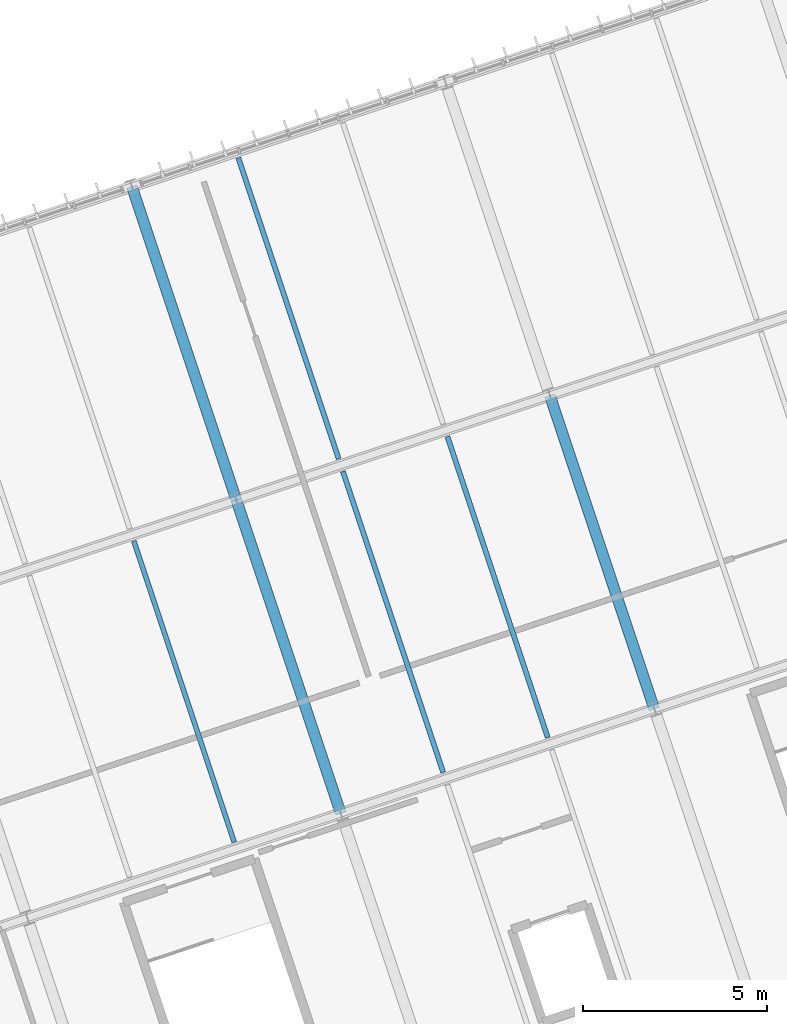
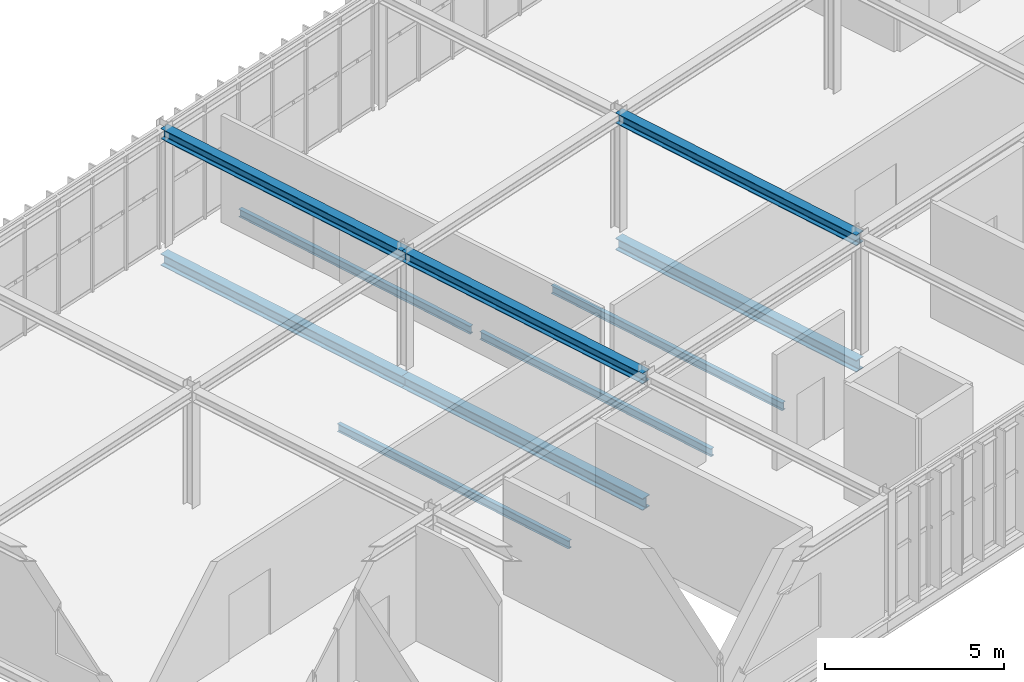
# One storey, part 14 of 61: 10 beams.
"""IFC4 building model written with IfcOpenShell, lengths in metres."""

from ifc_helpers import new_model, si_unit, derived_unit, direction, frame, origin, origin_2d, place, context, subcontext, project, spatial, i_section, extrude, material, material_profile, profile_set, type_object, element, save


model = new_model("IFC4")

# Units and contexts
model_context = context("Model", 3, precision=1e-05, world=origin(), true_north=direction((0.0, 1.0)))
body_context = subcontext(model_context, "Body", "Model", "MODEL_VIEW")
ifc_project = project(units=[si_unit("LENGTHUNIT", "METRE"), si_unit("AREAUNIT", "SQUARE_METRE"), si_unit("VOLUMEUNIT", "CUBIC_METRE"), si_unit("PLANEANGLEUNIT", "RADIAN"), si_unit("MASSUNIT", "GRAM", prefix="KILO"), si_unit("THERMODYNAMICTEMPERATUREUNIT", "KELVIN"), si_unit("TIMEUNIT", "SECOND"), derived_unit("THERMALTRANSMITTANCEUNIT", [(si_unit("MASSUNIT", "GRAM", prefix="KILO"), 1), (si_unit("THERMODYNAMICTEMPERATUREUNIT", "KELVIN"), -1), (si_unit("TIMEUNIT", "SECOND"), -3)])], contexts=[model_context])

# Site, building, storey
site_placement = place(None, origin())
site = spatial("IfcSite", under=ifc_project, at=site_placement, CompositionType="ELEMENT")
building_placement = place(site_placement, origin())
building = spatial("IfcBuilding", under=site, at=building_placement, Name="Cambertide Market Hall", CompositionType="ELEMENT")
storey_placement = place(building_placement, frame((0.0, 0.0, 9.89990234375)))
storey = spatial("IfcBuildingStorey", under=building, at=storey_placement, Name="L03", CompositionType="ELEMENT", Elevation=9.89990234375)

# Beams
ifc_material_1 = material(Name="Steel S355", Category="steel")
ifc_material_profile_1 = material_profile(ifc_material_1, i_section(OverallWidth=0.300048828125, OverallDepth=0.360107421875, WebThickness=0.012451171875, FlangeThickness=0.0224609375, FilletRadius=0.027099609375, at=origin_2d()), Name="HEB 360")
ifc_profile_set_1 = profile_set([ifc_material_profile_1], Name="Steel S355")
beam_type_1 = type_object("IfcBeamType", Name="Exterior Steel Girder HEB 360", PredefinedType="BEAM", material=ifc_profile_set_1)
beam_1_placement = place(storey_placement, frame((120.230224609375, 26.230224609375, 3.820068359375), z_axis=(-0.3162196279, 0.948686010717, 0.0), x_axis=(-0.948686010717, -0.3162196279, 0.0)))
element("IfcBeam", 1, at=beam_1_placement, inside=storey, type_object=beam_type_1, Name="Level 3 Beam BM-V3V-RF-3-2", PredefinedType="BEAM", context=body_context, shape_type="SweptSolid", body=[
    extrude(i_section(OverallWidth=0.300048828125, OverallDepth=0.360107421875, WebThickness=0.012451171875, FlangeThickness=0.0224609375, FilletRadius=0.027099609375, at=origin_2d()), origin(), (0.0, 0.0, 1.0), 9.0),
])
beam_2_placement = place(storey_placement, frame((117.38427734375, 34.768310546875, 3.820068359375), z_axis=(-0.316235903831, 0.948680585407, 0.0), x_axis=(-0.948680585407, -0.316235903831, 0.0)))
element("IfcBeam", 2, at=beam_2_placement, inside=storey, type_object=beam_type_1, Name="Level 3 Beam BM-V3V-RF-3-3", PredefinedType="BEAM", context=body_context, shape_type="SweptSolid", body=[
    extrude(i_section(OverallWidth=0.300048828125, OverallDepth=0.360107421875, WebThickness=0.012451171875, FlangeThickness=0.0224609375, FilletRadius=0.027099609375, at=origin_2d()), origin(), (0.0, 0.0, 1.0), 9.000244140625),
])
beam_3_placement = place(storey_placement, frame((128.768310546875, 29.076416015625, 3.820068359375), z_axis=(-0.3162196279, 0.948686010717, 0.0), x_axis=(-0.948686010717, -0.3162196279, 0.0)))
element("IfcBeam", 3, at=beam_3_placement, inside=storey, type_object=beam_type_1, Name="Level 3 Beam BM-V3V-RF-4-2", PredefinedType="BEAM", context=body_context, shape_type="SweptSolid", body=[
    extrude(i_section(OverallWidth=0.300048828125, OverallDepth=0.360107421875, WebThickness=0.012451171875, FlangeThickness=0.0224609375, FilletRadius=0.027099609375, at=origin_2d()), origin(), (0.0, 0.0, 1.0), 9.0),
])
ifc_material_2 = material(Name="Steel S355", Category="steel")
ifc_material_profile_2 = material_profile(ifc_material_2, i_section(OverallWidth=0.300048828125, OverallDepth=0.39990234375, WebThickness=0.013427734375, FlangeThickness=0.02392578125, FilletRadius=0.027099609375, at=origin_2d()), Name="HEB 400")
ifc_profile_set_2 = profile_set([ifc_material_profile_2], Name="Steel S355")
beam_type_2 = type_object("IfcBeamType", Name="Steel Girder HEB 400", PredefinedType="BEAM", material=ifc_profile_set_2)
beam_4_placement = place(storey_placement, frame((120.230224609375, 26.230224609375, -0.474853515625), z_axis=(-0.3162196279, 0.948686010717, 0.0), x_axis=(-0.948686010717, -0.3162196279, 0.0)))
element("IfcBeam", 4, at=beam_4_placement, inside=storey, type_object=beam_type_2, Name="Level 3 Beam BM-V3V-L03-3-2", PredefinedType="BEAM", context=body_context, shape_type="SweptSolid", body=[
    extrude(i_section(OverallWidth=0.300048828125, OverallDepth=0.39990234375, WebThickness=0.013427734375, FlangeThickness=0.02392578125, FilletRadius=0.027099609375, at=origin_2d()), origin(), (0.0, 0.0, 1.0), 9.0),
])
beam_5_placement = place(storey_placement, frame((117.38427734375, 34.768310546875, -0.474853515625), z_axis=(-0.316235903831, 0.948680585407, 0.0), x_axis=(-0.948680585407, -0.316235903831, 0.0)))
element("IfcBeam", 5, at=beam_5_placement, inside=storey, type_object=beam_type_2, Name="Level 3 Beam BM-V3V-L03-3-3", PredefinedType="BEAM", context=body_context, shape_type="SweptSolid", body=[
    extrude(i_section(OverallWidth=0.300048828125, OverallDepth=0.39990234375, WebThickness=0.013427734375, FlangeThickness=0.02392578125, FilletRadius=0.027099609375, at=origin_2d()), origin(), (0.0, 0.0, 1.0), 9.000244140625),
])
beam_6_placement = place(storey_placement, frame((128.768310546875, 29.076416015625, -0.474853515625), z_axis=(-0.3162196279, 0.948686010717, 0.0), x_axis=(-0.948686010717, -0.3162196279, 0.0)))
element("IfcBeam", 6, at=beam_6_placement, inside=storey, type_object=beam_type_2, Name="Level 3 Beam BM-V3V-L03-4-2", PredefinedType="BEAM", context=body_context, shape_type="SweptSolid", body=[
    extrude(i_section(OverallWidth=0.300048828125, OverallDepth=0.39990234375, WebThickness=0.013427734375, FlangeThickness=0.02392578125, FilletRadius=0.027099609375, at=origin_2d()), origin(), (0.0, 0.0, 1.0), 9.0),
])
ifc_material_3 = material(Name="Steel S275", Category="steel")
ifc_material_profile_3 = material_profile(ifc_material_3, i_section(OverallWidth=0.135009765625, OverallDepth=0.27001953125, WebThickness=0.006591796875, FlangeThickness=0.01025390625, FilletRadius=0.014892578125, at=origin_2d()), Name="IPE 270")
ifc_profile_set_3 = profile_set([ifc_material_profile_3], Name="Steel S275")
beam_type_3 = type_object("IfcBeamType", Name="Steel Secondary Joist IPE 270", PredefinedType="JOIST", material=ifc_profile_set_3)
beam_7_placement = place(storey_placement, frame((117.327392578125, 25.452392578125, -0.409912109375), z_axis=(-0.316253197272, 0.948674820587, 0.0), x_axis=(-0.948674820587, -0.316253197272, 0.0)))
element("IfcBeam", 7, at=beam_7_placement, inside=storey, type_object=beam_type_3, Name="Level 3 Joist JS-V3-L03-2-2-2", PredefinedType="JOIST", context=body_context, shape_type="SweptSolid", body=[
    extrude(i_section(OverallWidth=0.135009765625, OverallDepth=0.27001953125, WebThickness=0.006591796875, FlangeThickness=0.01025390625, FilletRadius=0.014892578125, at=origin_2d()), origin(), (0.0, 0.0, 1.0), 8.639892578125),
])
for number, where, z_axis, x_axis, name in (
    (8, (123.019287109375, 27.349609375, -0.409912109375), (-0.316219289033, 0.94868612367, 0.0), (-0.94868612367, -0.316219289033, 0.0), "Level 3 Joist JS-V3-L03-3-2-1"),
    (9, (125.865478515625, 28.29833984375, -0.409912109375), (-0.316219289033, 0.94868612367, 0.0), (-0.94868612367, -0.316219289033, 0.0), "Level 3 Joist JS-V3-L03-3-2-2"),
):
    element("IfcBeam", number, at=place(storey_placement, frame(where, z_axis=z_axis, x_axis=x_axis)), inside=storey, type_object=beam_type_3, Name=name, PredefinedType="JOIST", context=body_context, shape_type="SweptSolid", body=[
        extrude(i_section(OverallWidth=0.135009765625, OverallDepth=0.27001953125, WebThickness=0.006591796875, FlangeThickness=0.01025390625, FilletRadius=0.014892578125, at=origin_2d()), origin(), (0.0, 0.0, 1.0), 8.64013671875),
    ])
beam_8_placement = place(storey_placement, frame((120.17333984375, 35.887939453125, -0.409912109375), z_axis=(-0.316227766017, 0.948683298051, 0.0), x_axis=(-0.948683298051, -0.316227766017, 0.0)))
element("IfcBeam", 10, at=beam_8_placement, inside=storey, type_object=beam_type_3, Name="Level 3 Joist JS-V3-L03-3-3-1", PredefinedType="JOIST", context=body_context, shape_type="SweptSolid", body=[
    extrude(i_section(OverallWidth=0.135009765625, OverallDepth=0.27001953125, WebThickness=0.006591796875, FlangeThickness=0.01025390625, FilletRadius=0.014892578125, at=origin_2d()), origin(), (0.0, 0.0, 1.0), 8.639892578125),
])

save(model, "model.ifc")
